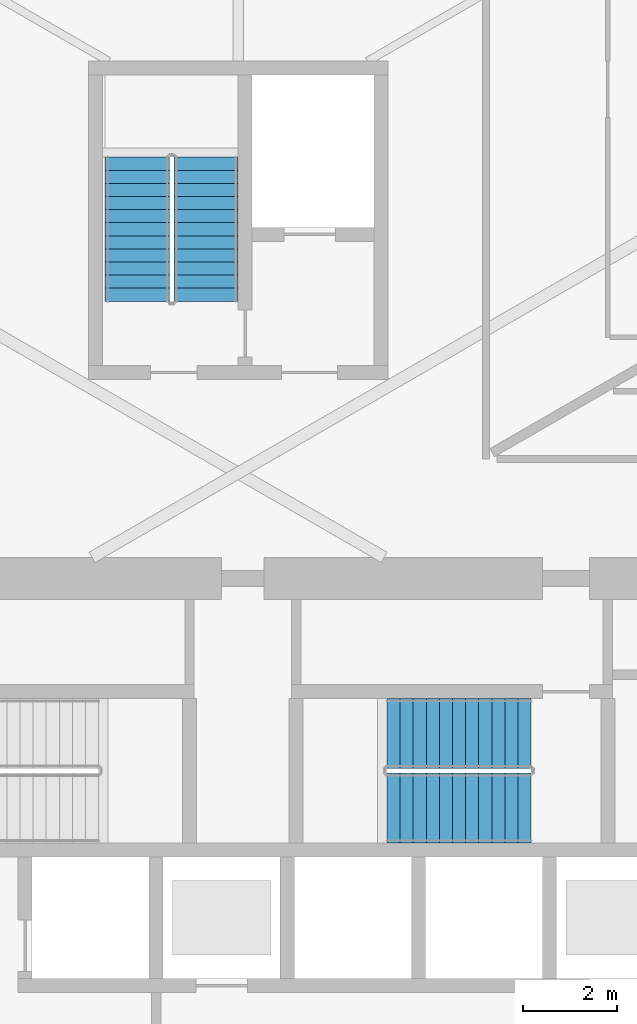
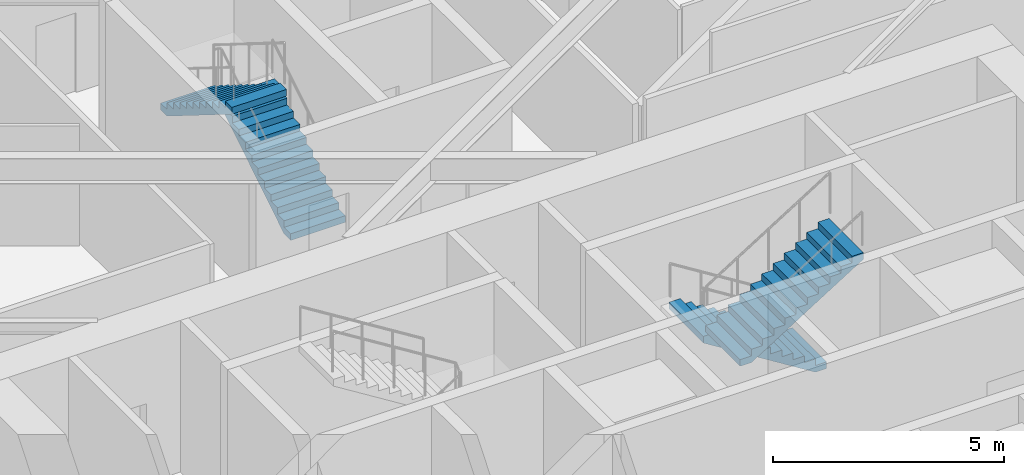
# One storey, part 17 of 19: 4 stair flights, 2 elements without a shape of their own.
"""IFC4 building model written with IfcOpenShell, lengths in metres."""

from ifc_helpers import new_model, si_unit, direction, frame, origin, place, context, subcontext, project, spatial, polyline, outline, extrude, material, type_object, element, aggregate, save


model = new_model("IFC4")

# Units and contexts
model_context = context("Model", 3, precision=1e-05, world=origin(), true_north=direction((0.0, 1.0)))
body_context = subcontext(model_context, "Body", "Model", "MODEL_VIEW")
ifc_project = project(units=[si_unit("LENGTHUNIT", "METRE"), si_unit("AREAUNIT", "SQUARE_METRE"), si_unit("VOLUMEUNIT", "CUBIC_METRE"), si_unit("PLANEANGLEUNIT", "RADIAN"), si_unit("MASSUNIT", "GRAM", prefix="KILO")], contexts=[model_context])

# Site, building, storey
site_placement = place(None, origin())
site = spatial("IfcSite", under=ifc_project, at=site_placement, CompositionType="ELEMENT")
building_placement = place(site_placement, origin())
building = spatial("IfcBuilding", under=site, at=building_placement, Name="Firuza Gate Tower and Library", CompositionType="ELEMENT")
storey_placement = place(building_placement, frame((0.0, 0.0, 103.0)))
storey = spatial("IfcBuildingStorey", under=building, at=storey_placement, Name="L23", CompositionType="ELEMENT", Elevation=103.0)

# Stair, stair flights
ifc_material_1 = material(Name="Concrete C35/45", Category="concrete")
stair_type_1 = type_object("IfcStairType", Name="Exit stair ST14", PredefinedType="HALF_TURN_STAIR", material=ifc_material_1)
placement = place(storey_placement, origin())
stair_1 = element("IfcStair", 1, at=placement, inside=storey, type_object=stair_type_1, Name="L23 Stair ST3", PredefinedType="HALF_TURN_STAIR")
ifc_material_2 = material(Name="Concrete C35/45", Category="concrete")
stair_flight_type_1 = type_object("IfcStairFlightType", Name="Stair flight 12 risers 175 width 1370", PredefinedType="STRAIGHT", material=ifc_material_2)
stair_flight_1_placement = place(storey_placement, frame((74.31494140625, 89.469970703125, 0.0), z_axis=(0.0, 0.0, 1.0), x_axis=(0.0, 1.0, 0.0)))
stair_flight_1 = element("IfcStairFlight", 2, at=stair_flight_1_placement, type_object=stair_flight_type_1, Name="ST3 flight 1", NumberOfRisers=12, NumberOfTreads=11, PredefinedType="STRAIGHT", RiserHeight=0.175, TreadLength=0.28, context=body_context, shape_type="SweptSolid", body=[
    extrude(outline(polyline([(0.0, 0.0), (0.0, 0.175048828125), (0.280029296875, 0.175048828125), (0.280029296875, 0.35009765625), (0.56005859375, 0.35009765625), (0.56005859375, 0.52490234375), (0.840087890625, 0.52490234375), (0.840087890625, 0.699951171875), (1.1201171875, 0.699951171875), (1.1201171875, 0.875), (1.39990234375, 0.875), (1.39990234375, 1.050048828125), (1.679931640625, 1.050048828125), (1.679931640625, 1.22509765625), (1.9599609375, 1.22509765625), (1.9599609375, 1.39990234375), (2.239990234375, 1.39990234375), (2.239990234375, 1.574951171875), (2.52001953125, 1.574951171875), (2.52001953125, 1.75), (2.800048828125, 1.75), (2.800048828125, 1.925048828125), (3.080078125, 1.925048828125), (3.080078125, 2.10009765625), (3.080078125, 1.748291015625), (0.28271484375, 0.0), (0.0, 0.0)])), frame((0.0, 0.68505859375, 0.0), z_axis=(0.0, -1.0, 0.0), x_axis=(1.0, 0.0, 0.0)), (0.0, 0.0, 1.0), 1.3701171875),
])
stair_flight_2_placement = place(storey_placement, frame((72.844970703125, 92.550048828125, 2.10009765625), z_axis=(0.0, 0.0, 1.0), x_axis=(0.0, -1.0, 0.0)))
stair_flight_2 = element("IfcStairFlight", 3, at=stair_flight_2_placement, type_object=stair_flight_type_1, Name="ST3 flight 2", NumberOfRisers=12, NumberOfTreads=11, PredefinedType="STRAIGHT", RiserHeight=0.175, TreadLength=0.28, context=body_context, shape_type="SweptSolid", body=[
    extrude(outline(polyline([(0.0, 0.0), (0.0, 0.175048828125), (0.280029296875, 0.175048828125), (0.280029296875, 0.35009765625), (0.56005859375, 0.35009765625), (0.56005859375, 0.52490234375), (0.840087890625, 0.52490234375), (0.840087890625, 0.699951171875), (1.1201171875, 0.699951171875), (1.1201171875, 0.875), (1.39990234375, 0.875), (1.39990234375, 1.050048828125), (1.679931640625, 1.050048828125), (1.679931640625, 1.22509765625), (1.9599609375, 1.22509765625), (1.9599609375, 1.39990234375), (2.239990234375, 1.39990234375), (2.239990234375, 1.574951171875), (2.52001953125, 1.574951171875), (2.52001953125, 1.75), (2.800048828125, 1.75), (2.800048828125, 1.925048828125), (3.080078125, 1.925048828125), (3.080078125, 2.10009765625), (3.080078125, 1.748291015625), (0.28271484375, 0.0), (0.0, 0.0)])), frame((0.0, 0.68505859375, 0.0), z_axis=(0.0, -1.0, 0.0), x_axis=(1.0, 0.0, 0.0)), (0.0, 0.0, 1.0), 1.3701171875),
])
aggregate(stair_1, [stair_flight_1, stair_flight_2])

ifc_material_3 = material(Name="Concrete C35/45", Category="concrete")
stair_type_2 = type_object("IfcStairType", Name="Exit stair ST5", PredefinedType="HALF_TURN_STAIR", material=ifc_material_3)
stair_2 = element("IfcStair", 4, at=placement, inside=storey, type_object=stair_type_2, Name="L23 Stair ST2", PredefinedType="HALF_TURN_STAIR")
ifc_material_4 = material(Name="Concrete C35/45", Category="concrete")
stair_flight_type_2 = type_object("IfcStairFlightType", Name="Stair flight 12 risers 175 width 1490", PredefinedType="STRAIGHT", material=ifc_material_4)
stair_flight_3_placement = place(storey_placement, frame((81.260009765625, 80.235107421875, 0.0), z_axis=(0.0, 0.0, 1.0), x_axis=(-1.0, 0.0, 0.0)))
stair_flight_3 = element("IfcStairFlight", 5, at=stair_flight_3_placement, type_object=stair_flight_type_2, Name="ST2 flight 1", NumberOfRisers=12, NumberOfTreads=11, PredefinedType="STRAIGHT", RiserHeight=0.175, TreadLength=0.28, context=body_context, shape_type="SweptSolid", body=[
    extrude(outline(polyline([(0.0, 0.0), (0.0, 0.175048828125), (0.280029296875, 0.175048828125), (0.280029296875, 0.35009765625), (0.56005859375, 0.35009765625), (0.56005859375, 0.52490234375), (0.840087890625, 0.52490234375), (0.840087890625, 0.699951171875), (1.1201171875, 0.699951171875), (1.1201171875, 0.875), (1.39990234375, 0.875), (1.39990234375, 1.050048828125), (1.679931640625, 1.050048828125), (1.679931640625, 1.22509765625), (1.9599609375, 1.22509765625), (1.9599609375, 1.39990234375), (2.239990234375, 1.39990234375), (2.239990234375, 1.574951171875), (2.52001953125, 1.574951171875), (2.52001953125, 1.75), (2.800048828125, 1.75), (2.800048828125, 1.925048828125), (3.080078125, 1.925048828125), (3.080078125, 2.10009765625), (3.080078125, 1.748291015625), (0.28271484375, 0.0), (0.0, 0.0)])), frame((0.0, 0.7451171875, 0.0), z_axis=(0.0, -1.0, 0.0), x_axis=(1.0, 0.0, 0.0)), (0.0, 0.0, 1.0), 1.489990234375),
])
stair_flight_4_placement = place(storey_placement, frame((78.179931640625, 78.64501953125, 2.10009765625), z_axis=(0.0, 0.0, 1.0), x_axis=(1.0, 0.0, 0.0)))
stair_flight_4 = element("IfcStairFlight", 6, at=stair_flight_4_placement, type_object=stair_flight_type_2, Name="ST2 flight 2", NumberOfRisers=12, NumberOfTreads=11, PredefinedType="STRAIGHT", RiserHeight=0.175, TreadLength=0.28, context=body_context, shape_type="SweptSolid", body=[
    extrude(outline(polyline([(0.0, 0.0), (0.0, 0.175048828125), (0.280029296875, 0.175048828125), (0.280029296875, 0.35009765625), (0.56005859375, 0.35009765625), (0.56005859375, 0.52490234375), (0.840087890625, 0.52490234375), (0.840087890625, 0.699951171875), (1.1201171875, 0.699951171875), (1.1201171875, 0.875), (1.39990234375, 0.875), (1.39990234375, 1.050048828125), (1.679931640625, 1.050048828125), (1.679931640625, 1.22509765625), (1.9599609375, 1.22509765625), (1.9599609375, 1.39990234375), (2.239990234375, 1.39990234375), (2.239990234375, 1.574951171875), (2.52001953125, 1.574951171875), (2.52001953125, 1.75), (2.800048828125, 1.75), (2.800048828125, 1.925048828125), (3.080078125, 1.925048828125), (3.080078125, 2.10009765625), (3.080078125, 1.748291015625), (0.28271484375, 0.0), (0.0, 0.0)])), frame((0.0, 0.7451171875, 0.0), z_axis=(0.0, -1.0, 0.0), x_axis=(1.0, 0.0, 0.0)), (0.0, 0.0, 1.0), 1.489990234375),
])
aggregate(stair_2, [stair_flight_3, stair_flight_4])

save(model, "model.ifc")
